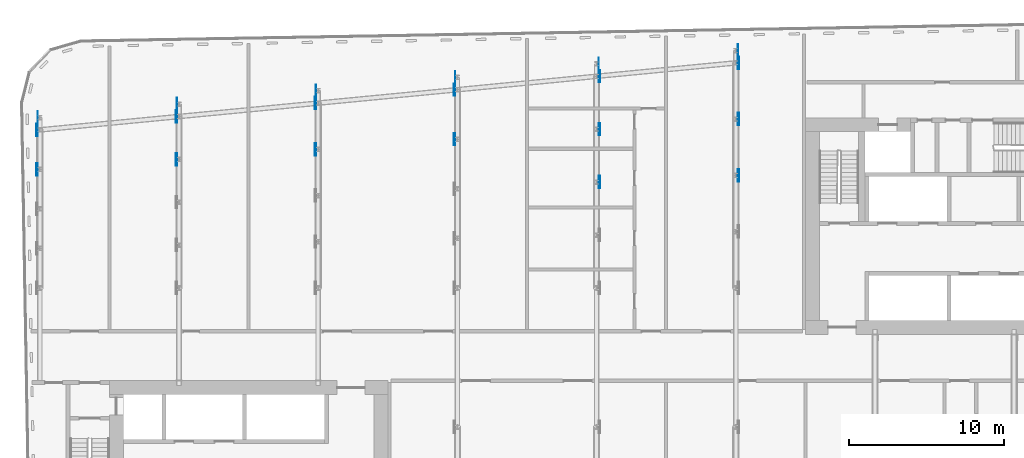
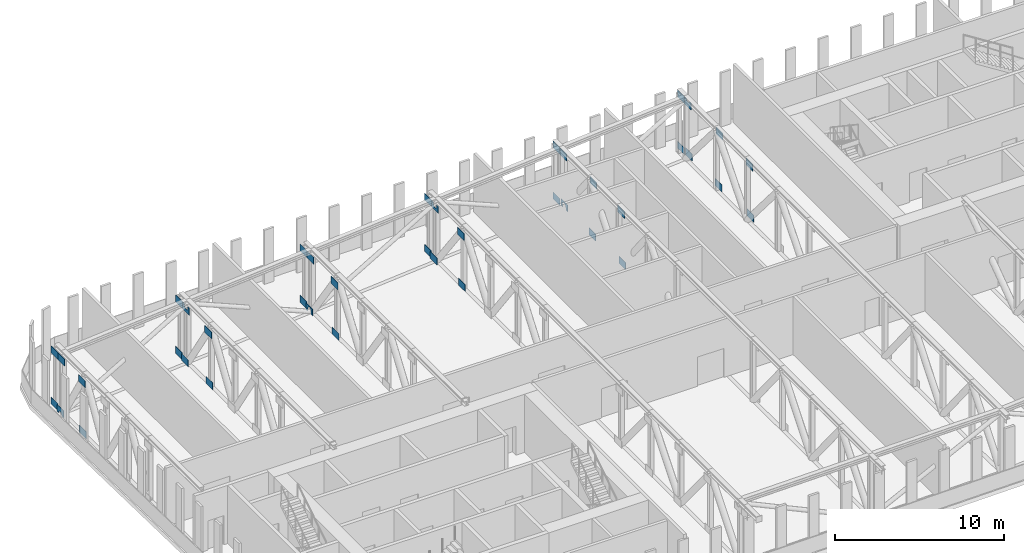
# One storey, part 19 of 26: 40 discrete accessories.
"""IFC4 building model written with IfcOpenShell, lengths in metres."""

from ifc_helpers import new_model, si_unit, direction, frame, origin, place, context, subcontext, project, spatial, polyline, outline, extrude, material, layer, layer_set, type_object, element, save


model = new_model("IFC4")

# Units and contexts
model_context = context("Model", 3, precision=1e-05, world=origin(), true_north=direction((0.0, 1.0)))
body_context = subcontext(model_context, "Body", "Model", "MODEL_VIEW")
ifc_project = project(units=[si_unit("LENGTHUNIT", "METRE"), si_unit("AREAUNIT", "SQUARE_METRE"), si_unit("VOLUMEUNIT", "CUBIC_METRE"), si_unit("PLANEANGLEUNIT", "RADIAN"), si_unit("MASSUNIT", "GRAM", prefix="KILO")], contexts=[model_context])

# Site, building, storey
site_placement = place(None, origin())
site = spatial("IfcSite", under=ifc_project, at=site_placement, CompositionType="ELEMENT")
building_placement = place(site_placement, origin())
building = spatial("IfcBuilding", under=site, at=building_placement, Name="Kajstack Hotel Tower", CompositionType="ELEMENT")
storey_placement = place(building_placement, frame((0.0, 0.0, 257.300048828125)))
storey = spatial("IfcBuildingStorey", under=building, at=storey_placement, Name="L64", CompositionType="ELEMENT", Elevation=257.300048828125)

# Discrete accessories
ifc_material = material(Name="Steel S355J2", Category="steel")
ifc_layer = layer(ifc_material, 0.02001953125)
ifc_layer_set = layer_set([ifc_layer], Name="GUSSET PLATE")
discrete_accessory_type = type_object("IfcDiscreteAccessoryType", Name="GUSSET PLATE", PredefinedType="BRACKET", material=ifc_layer_set)
for number, where, z_axis, x_axis, name in (
    (1, (-36.14990234375, 12.163818359375, 0.0), (1.0, 0.0, 0.0), (0.0, 1.0, 0.0), "Gusset plate L64-635"),
    (2, (-36.22314453125, 12.163818359375, 3.699951171875), (1.0, 0.0, 0.0), (0.0, 1.0, 0.0), "Gusset plate L64-636"),
):
    element("IfcDiscreteAccessory", number, at=place(storey_placement, frame(where, z_axis=z_axis, x_axis=x_axis)), inside=storey, type_object=discrete_accessory_type, Name=name, PredefinedType="BRACKET", context=body_context, shape_type="SweptSolid", body=[
        extrude(outline(polyline([(-0.39990234375, 0.0), (0.39990234375, 0.0), (0.39990234375, 0.5), (-0.39990234375, 0.5), (-0.39990234375, 0.0)])), origin(), (0.0, 0.0, 1.0), 0.02001953125),
    ])
discrete_accessory_1_placement = place(storey_placement, frame((-36.22314453125, 14.718505859375, 0.0), z_axis=(1.0, 0.0, 0.0), x_axis=(0.0, 1.0, 0.0)))
element("IfcDiscreteAccessory", 3, at=discrete_accessory_1_placement, inside=storey, type_object=discrete_accessory_type, Name="Gusset plate L64-637", PredefinedType="BRACKET", context=body_context, shape_type="SweptSolid", body=[
    extrude(outline(polyline([(-0.39990234375, 0.0), (-0.207275390625, 0.0), (-0.198974609375, 0.041015625), (-0.187255859375, 0.0791015625), (-0.168212890625, 0.114013671875), (-0.142822265625, 0.144775390625), (-0.112060546875, 0.169921875), (-0.076904296875, 0.1884765625), (-0.038818359375, 0.199951171875), (0.000732421875, 0.203857421875), (0.04052734375, 0.19970703125), (0.07861328125, 0.18798828125), (0.113525390625, 0.169189453125), (0.144287109375, 0.143798828125), (0.16943359375, 0.113037109375), (0.18798828125, 0.077880859375), (0.199462890625, 0.03955078125), (0.203125, 0.0), (0.39990234375, 0.0), (0.39990234375, 0.5), (-0.39990234375, 0.5), (-0.39990234375, 0.0)])), origin(), (0.0, 0.0, 1.0), 0.02001953125),
])
for number, where, z_axis, x_axis, name in (
    (4, (-36.14990234375, 14.718505859375, 3.699951171875), (1.0, 0.0, 0.0), (0.0, 1.0, 0.0), "Gusset plate L64-638"),
    (5, (-36.14990234375, 15.518310546875, 0.0), (1.0, 0.0, 0.0), (0.0, 1.0, 0.0), "Gusset plate L64-639"),
    (6, (-36.14990234375, 15.518310546875, 3.699951171875), (1.0, 0.0, 0.0), (0.0, 1.0, 0.0), "Gusset plate L64-640"),
    (7, (-27.14990234375, 12.813720703125, 0.0), (1.0, 0.0, 0.0), (0.0, 1.0, 0.0), "Gusset plate L64-647"),
    (8, (-27.22314453125, 12.813720703125, 3.699951171875), (1.0, 0.0, 0.0), (0.0, 1.0, 0.0), "Gusset plate L64-648"),
    (9, (-27.22314453125, 15.5849609375, 0.0), (1.0, 0.0, 0.0), (0.0, 1.0, 0.0), "Gusset plate L64-649"),
):
    element("IfcDiscreteAccessory", number, at=place(storey_placement, frame(where, z_axis=z_axis, x_axis=x_axis)), inside=storey, type_object=discrete_accessory_type, Name=name, PredefinedType="BRACKET", context=body_context, shape_type="SweptSolid", body=[
        extrude(outline(polyline([(-0.39990234375, 0.0), (0.39990234375, 0.0), (0.39990234375, 0.5), (-0.39990234375, 0.5), (-0.39990234375, 0.0)])), origin(), (0.0, 0.0, 1.0), 0.02001953125),
    ])
discrete_accessory_2_placement = place(storey_placement, frame((-27.14990234375, 15.5849609375, 3.699951171875), z_axis=(1.0, 0.0, 0.0), x_axis=(0.0, 1.0, 0.0)))
element("IfcDiscreteAccessory", 10, at=discrete_accessory_2_placement, inside=storey, type_object=discrete_accessory_type, Name="Gusset plate L64-650", PredefinedType="BRACKET", context=body_context, shape_type="SweptSolid", body=[
    extrude(outline(polyline([(0.39990234375, 0.5), (0.205078125, 0.5), (0.195068359375, 0.46728515625), (0.177734375, 0.434326171875), (0.164794921875, 0.37109375), (0.153076171875, 0.3330078125), (0.13427734375, 0.2978515625), (0.122314453125, 0.281982421875), (0.09423828125, 0.25390625), (0.06103515625, 0.23193359375), (0.04296875, 0.223388671875), (0.0048828125, 0.2119140625), (-0.034912109375, 0.208251953125), (-0.074462890625, 0.21240234375), (-0.09375, 0.21728515625), (-0.13037109375, 0.232666015625), (-0.1474609375, 0.242919921875), (-0.17822265625, 0.268310546875), (-0.203369140625, 0.299072265625), (-0.221923828125, 0.334228515625), (-0.228759765625, 0.35302734375), (-0.236328125, 0.39208984375), (-0.236083984375, 0.431884765625), (-0.223388671875, 0.5), (-0.39990234375, 0.5), (-0.39990234375, 0.0), (0.39990234375, 0.0), (0.39990234375, 0.5)])), origin(), (0.0, 0.0, 1.0), 0.02001953125),
])
for number, where, z_axis, x_axis, name in (
    (11, (-27.14990234375, 16.385009765625, 0.0), (1.0, 0.0, 0.0), (0.0, 1.0, 0.0), "Gusset plate L64-651"),
    (12, (-27.14990234375, 16.385009765625, 3.699951171875), (1.0, 0.0, 0.0), (0.0, 1.0, 0.0), "Gusset plate L64-652"),
    (13, (-18.14990234375, 13.463623046875, 0.0), (1.0, 0.0, 0.0), (0.0, 1.0, 0.0), "Gusset plate L64-659"),
    (14, (-18.22314453125, 13.463623046875, 3.699951171875), (1.0, 0.0, 0.0), (0.0, 1.0, 0.0), "Gusset plate L64-660"),
):
    element("IfcDiscreteAccessory", number, at=place(storey_placement, frame(where, z_axis=z_axis, x_axis=x_axis)), inside=storey, type_object=discrete_accessory_type, Name=name, PredefinedType="BRACKET", context=body_context, shape_type="SweptSolid", body=[
        extrude(outline(polyline([(-0.39990234375, 0.0), (0.39990234375, 0.0), (0.39990234375, 0.5), (-0.39990234375, 0.5), (-0.39990234375, 0.0)])), origin(), (0.0, 0.0, 1.0), 0.02001953125),
    ])
discrete_accessory_3_placement = place(storey_placement, frame((-18.22314453125, 16.45166015625, 0.0), z_axis=(1.0, 0.0, 0.0), x_axis=(0.0, 1.0, 0.0)))
element("IfcDiscreteAccessory", 15, at=discrete_accessory_3_placement, inside=storey, type_object=discrete_accessory_type, Name="Gusset plate L64-661", PredefinedType="BRACKET", context=body_context, shape_type="SweptSolid", body=[
    extrude(outline(polyline([(-0.39990234375, 0.0), (-0.207275390625, 0.0), (-0.2431640625, 0.182861328125), (-0.243408203125, 0.22265625), (-0.235595703125, 0.26171875), (-0.22900390625, 0.280517578125), (-0.21044921875, 0.315673828125), (-0.19873046875, 0.331787109375), (-0.185302734375, 0.3466796875), (-0.154541015625, 0.3720703125), (-0.137451171875, 0.38232421875), (-0.100830078125, 0.397705078125), (-0.08154296875, 0.402587890625), (-0.0419921875, 0.406494140625), (-0.002197265625, 0.40283203125), (0.01708984375, 0.39794921875), (0.053955078125, 0.3828125), (0.071044921875, 0.372802734375), (0.087158203125, 0.36083984375), (0.115234375, 0.332763671875), (0.137451171875, 0.2998046875), (0.15283203125, 0.26318359375), (0.15771484375, 0.243896484375), (0.199462890625, 0.03955078125), (0.203125, 0.0), (0.39990234375, 0.0), (0.39990234375, 0.5), (-0.39990234375, 0.5), (-0.39990234375, 0.0)])), origin(), (0.0, 0.0, 1.0), 0.02001953125),
])
for number, where, z_axis, x_axis, name in (
    (16, (-18.14990234375, 16.45166015625, 3.699951171875), (1.0, 0.0, 0.0), (0.0, 1.0, 0.0), "Gusset plate L64-662"),
    (17, (-18.14990234375, 17.251708984375, 0.0), (1.0, 0.0, 0.0), (0.0, 1.0, 0.0), "Gusset plate L64-663"),
    (18, (-18.14990234375, 17.251708984375, 3.699951171875), (1.0, 0.0, 0.0), (0.0, 1.0, 0.0), "Gusset plate L64-664"),
    (19, (-9.14990234375, 14.113525390625, 0.0), (1.0, 0.0, 0.0), (0.0, 1.0, 0.0), "Gusset plate L64-683"),
    (20, (-9.22314453125, 14.113525390625, 3.699951171875), (1.0, 0.0, 0.0), (0.0, 1.0, 0.0), "Gusset plate L64-684"),
    (21, (-9.22314453125, 17.318115234375, 0.0), (1.0, 0.0, 0.0), (0.0, 1.0, 0.0), "Gusset plate L64-685"),
):
    element("IfcDiscreteAccessory", number, at=place(storey_placement, frame(where, z_axis=z_axis, x_axis=x_axis)), inside=storey, type_object=discrete_accessory_type, Name=name, PredefinedType="BRACKET", context=body_context, shape_type="SweptSolid", body=[
        extrude(outline(polyline([(-0.39990234375, 0.0), (0.39990234375, 0.0), (0.39990234375, 0.5), (-0.39990234375, 0.5), (-0.39990234375, 0.0)])), origin(), (0.0, 0.0, 1.0), 0.02001953125),
    ])
discrete_accessory_4_placement = place(storey_placement, frame((-9.14990234375, 17.318115234375, 3.699951171875), z_axis=(1.0, 0.0, 0.0), x_axis=(0.0, 1.0, 0.0)))
element("IfcDiscreteAccessory", 22, at=discrete_accessory_4_placement, inside=storey, type_object=discrete_accessory_type, Name="Gusset plate L64-686", PredefinedType="BRACKET", context=body_context, shape_type="SweptSolid", body=[
    extrude(outline(polyline([(0.39990234375, 0.5), (0.205078125, 0.5), (0.195068359375, 0.46728515625), (0.177734375, 0.434326171875), (0.164794921875, 0.37109375), (0.153076171875, 0.3330078125), (0.13427734375, 0.2978515625), (0.122314453125, 0.281982421875), (0.09423828125, 0.25390625), (0.06103515625, 0.23193359375), (0.04296875, 0.223388671875), (0.0048828125, 0.2119140625), (-0.034912109375, 0.208251953125), (-0.074462890625, 0.21240234375), (-0.09375, 0.21728515625), (-0.13037109375, 0.232666015625), (-0.1474609375, 0.242919921875), (-0.17822265625, 0.268310546875), (-0.203369140625, 0.299072265625), (-0.221923828125, 0.334228515625), (-0.228759765625, 0.35302734375), (-0.236328125, 0.39208984375), (-0.236083984375, 0.431884765625), (-0.223388671875, 0.5), (-0.39990234375, 0.5), (-0.39990234375, 0.0), (0.39990234375, 0.0), (0.39990234375, 0.5)])), origin(), (0.0, 0.0, 1.0), 0.02001953125),
])
for number, where, z_axis, x_axis, name in (
    (23, (-9.14990234375, 18.1181640625, 0.0), (1.0, 0.0, 0.0), (0.0, 1.0, 0.0), "Gusset plate L64-687"),
    (24, (-9.14990234375, 18.1181640625, 3.699951171875), (1.0, 0.0, 0.0), (0.0, 1.0, 0.0), "Gusset plate L64-688"),
    (25, (0.203125, 11.34228515625, 0.0), (1.0, 0.0, 0.0), (0.0, 1.0, 0.0), "Gusset plate L64-706"),
    (26, (0.1298828125, 11.34228515625, 3.699951171875), (1.0, 0.0, 0.0), (0.0, 1.0, 0.0), "Gusset plate L64-707"),
    (27, (0.1298828125, 14.763671875, 0.0), (1.0, 0.0, 0.0), (0.0, 1.0, 0.0), "Gusset plate L64-708"),
    (28, (0.203125, 14.763671875, 3.699951171875), (1.0, 0.0, 0.0), (0.0, 1.0, 0.0), "Gusset plate L64-709"),
):
    element("IfcDiscreteAccessory", number, at=place(storey_placement, frame(where, z_axis=z_axis, x_axis=x_axis)), inside=storey, type_object=discrete_accessory_type, Name=name, PredefinedType="BRACKET", context=body_context, shape_type="SweptSolid", body=[
        extrude(outline(polyline([(-0.39990234375, 0.0), (0.39990234375, 0.0), (0.39990234375, 0.5), (-0.39990234375, 0.5), (-0.39990234375, 0.0)])), origin(), (0.0, 0.0, 1.0), 0.02001953125),
    ])
discrete_accessory_5_placement = place(storey_placement, frame((0.203125, 18.184814453125, 0.0), z_axis=(1.0, 0.0, 0.0), x_axis=(0.0, 1.0, 0.0)))
element("IfcDiscreteAccessory", 29, at=discrete_accessory_5_placement, inside=storey, type_object=discrete_accessory_type, Name="Gusset plate L64-710", PredefinedType="BRACKET", context=body_context, shape_type="SweptSolid", body=[
    extrude(outline(polyline([(-0.39990234375, 0.0), (-0.203125, 0.0), (-0.199462890625, 0.03955078125), (-0.15771484375, 0.243896484375), (-0.15283203125, 0.26318359375), (-0.137451171875, 0.2998046875), (-0.115234375, 0.332763671875), (-0.087158203125, 0.36083984375), (-0.071044921875, 0.372802734375), (-0.053955078125, 0.3828125), (-0.01708984375, 0.39794921875), (0.002197265625, 0.40283203125), (0.0419921875, 0.406494140625), (0.08154296875, 0.402587890625), (0.100830078125, 0.397705078125), (0.137451171875, 0.38232421875), (0.154541015625, 0.3720703125), (0.185302734375, 0.3466796875), (0.19873046875, 0.331787109375), (0.21044921875, 0.315673828125), (0.22900390625, 0.280517578125), (0.235595703125, 0.26171875), (0.243408203125, 0.22265625), (0.2431640625, 0.182861328125), (0.207275390625, 0.0), (0.39990234375, 0.0), (0.39990234375, 0.5), (-0.39990234375, 0.5), (-0.39990234375, 0.0)])), origin(), (0.0, 0.0, 1.0), 0.02001953125),
])
for number, where, z_axis, x_axis, name in (
    (30, (0.1298828125, 18.184814453125, 3.699951171875), (1.0, 0.0, 0.0), (0.0, 1.0, 0.0), "Gusset plate L64-711"),
    (31, (0.1298828125, 18.98486328125, 0.0), (1.0, 0.0, 0.0), (0.0, 1.0, 0.0), "Gusset plate L64-712"),
    (32, (0.1298828125, 18.98486328125, 3.699951171875), (1.0, 0.0, 0.0), (0.0, 1.0, 0.0), "Gusset plate L64-713"),
    (33, (9.203125, 11.775634765625, 0.0), (1.0, 0.0, 0.0), (0.0, 1.0, 0.0), "Gusset plate L64-728"),
    (34, (9.1298828125, 11.775634765625, 3.699951171875), (1.0, 0.0, 0.0), (0.0, 1.0, 0.0), "Gusset plate L64-729"),
    (35, (9.1298828125, 15.41357421875, 0.0), (1.0, 0.0, 0.0), (0.0, 1.0, 0.0), "Gusset plate L64-730"),
    (36, (9.203125, 15.41357421875, 3.699951171875), (1.0, 0.0, 0.0), (0.0, 1.0, 0.0), "Gusset plate L64-731"),
    (37, (9.203125, 19.051513671875, 0.0), (1.0, 0.0, 0.0), (0.0, 1.0, 0.0), "Gusset plate L64-732"),
):
    element("IfcDiscreteAccessory", number, at=place(storey_placement, frame(where, z_axis=z_axis, x_axis=x_axis)), inside=storey, type_object=discrete_accessory_type, Name=name, PredefinedType="BRACKET", context=body_context, shape_type="SweptSolid", body=[
        extrude(outline(polyline([(-0.39990234375, 0.0), (0.39990234375, 0.0), (0.39990234375, 0.5), (-0.39990234375, 0.5), (-0.39990234375, 0.0)])), origin(), (0.0, 0.0, 1.0), 0.02001953125),
    ])
discrete_accessory_6_placement = place(storey_placement, frame((9.1298828125, 19.051513671875, 3.699951171875), z_axis=(1.0, 0.0, 0.0), x_axis=(0.0, 1.0, 0.0)))
element("IfcDiscreteAccessory", 38, at=discrete_accessory_6_placement, inside=storey, type_object=discrete_accessory_type, Name="Gusset plate L64-733", PredefinedType="BRACKET", context=body_context, shape_type="SweptSolid", body=[
    extrude(outline(polyline([(0.39990234375, 0.5), (0.190673828125, 0.5), (0.18017578125, 0.466064453125), (0.1611328125, 0.43115234375), (0.1494140625, 0.4150390625), (0.12109375, 0.386962890625), (0.087890625, 0.364990234375), (0.06982421875, 0.356689453125), (0.03173828125, 0.34521484375), (-0.0078125, 0.34130859375), (-0.047607421875, 0.345458984375), (-0.06689453125, 0.350341796875), (-0.103515625, 0.36572265625), (-0.136474609375, 0.387939453125), (-0.1513671875, 0.4013671875), (-0.176513671875, 0.43212890625), (-0.195068359375, 0.46728515625), (-0.205078125, 0.5), (-0.39990234375, 0.5), (-0.39990234375, 0.0), (0.39990234375, 0.0), (0.39990234375, 0.5)])), origin(), (0.0, 0.0, 1.0), 0.02001953125),
])
for number, where, z_axis, x_axis, name in (
    (39, (9.1298828125, 19.851318359375, 0.0), (1.0, 0.0, 0.0), (0.0, 1.0, 0.0), "Gusset plate L64-734"),
    (40, (9.1298828125, 19.851318359375, 3.699951171875), (1.0, 0.0, 0.0), (0.0, 1.0, 0.0), "Gusset plate L64-735"),
):
    element("IfcDiscreteAccessory", number, at=place(storey_placement, frame(where, z_axis=z_axis, x_axis=x_axis)), inside=storey, type_object=discrete_accessory_type, Name=name, PredefinedType="BRACKET", context=body_context, shape_type="SweptSolid", body=[
        extrude(outline(polyline([(-0.39990234375, 0.0), (0.39990234375, 0.0), (0.39990234375, 0.5), (-0.39990234375, 0.5), (-0.39990234375, 0.0)])), origin(), (0.0, 0.0, 1.0), 0.02001953125),
    ])

save(model, "model.ifc")
